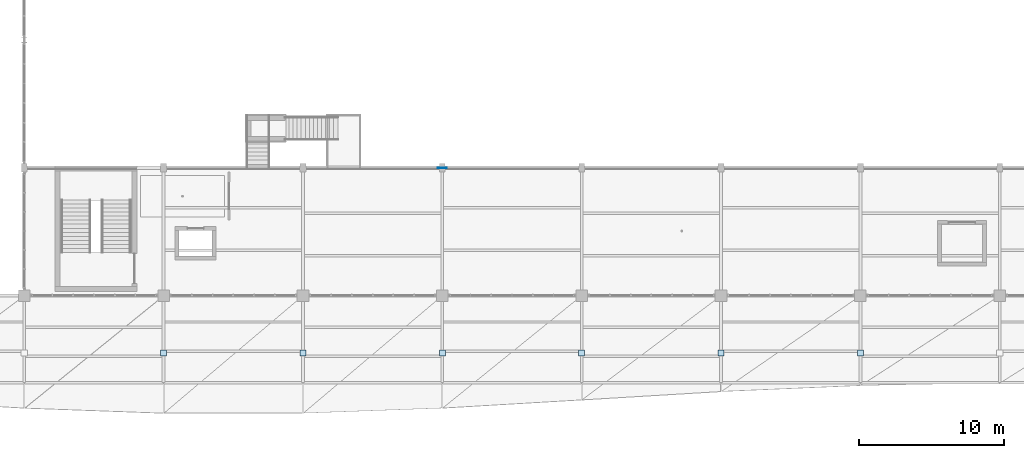
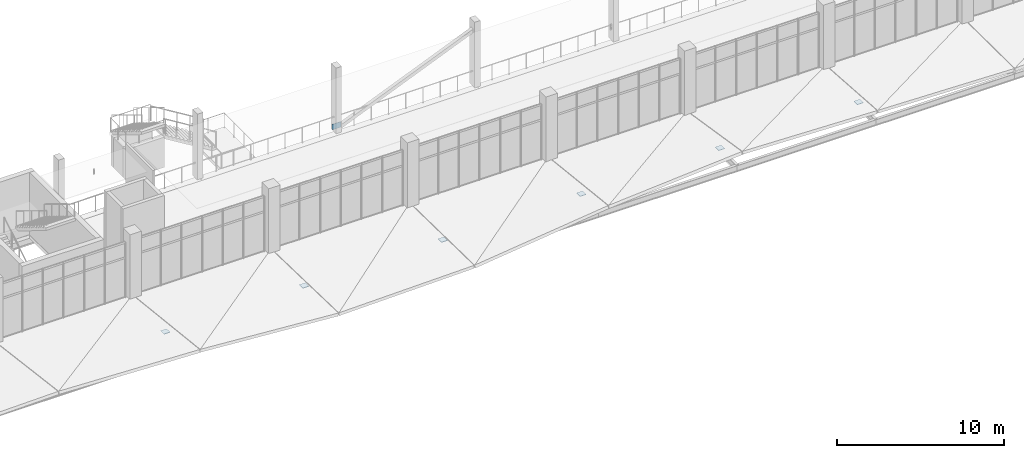
# One storey, part 128 of 157: 7 plates.
"""IFC4 building model written with IfcOpenShell, lengths in metres."""

from ifc_helpers import new_model, si_unit, direction, frame, origin, origin_2d, place, context, subcontext, project, spatial, rectangle, extrude, material, layer, layer_set, type_object, element, save


model = new_model("IFC4")

# Units and contexts
model_context = context("Model", 3, precision=1e-05, world=origin(), true_north=direction((0.0, 1.0)))
body_context = subcontext(model_context, "Body", "Model", "MODEL_VIEW")
ifc_project = project(units=[si_unit("LENGTHUNIT", "METRE"), si_unit("AREAUNIT", "SQUARE_METRE"), si_unit("VOLUMEUNIT", "CUBIC_METRE"), si_unit("PLANEANGLEUNIT", "RADIAN"), si_unit("MASSUNIT", "GRAM", prefix="KILO")], contexts=[model_context])

# Site, building, storey
site_placement = place(None, origin())
site = spatial("IfcSite", under=ifc_project, at=site_placement, CompositionType="ELEMENT")
building_placement = place(site_placement, origin())
building = spatial("IfcBuilding", under=site, at=building_placement, Name="Chalmorin Arch Market", CompositionType="ELEMENT")
storey_placement = place(building_placement, frame((0.0, 0.0, 4.800048828125)))
storey = spatial("IfcBuildingStorey", under=building, at=storey_placement, Name="L01", CompositionType="ELEMENT", Elevation=4.800048828125)

# Plates
ifc_material = material(Name="Steel A572 Grade 50", Category="steel")
ifc_layer = layer(ifc_material, 0.02490234375)
ifc_layer_set = layer_set([ifc_layer], Name="Steel A572 Grade 50")
plate_type = type_object("IfcPlateType", Name="NodeGussetPlate-600x400x25", PredefinedType="SHEET", material=ifc_layer_set)
for number, where, z_axis, x_axis, name in (
    (1, (57.60009765625, 2.050048828125, -0.283203125), (0.0, 0.0, 1.0), (1.0, 0.0, 0.0), "GP-01-014"),
    (2, (67.199951171875, 2.050048828125, -0.283203125), (0.0, 0.0, 1.0), (1.0, 0.0, 0.0), "GP-01-016"),
    (3, (76.800048828125, 2.050048828125, -0.283203125), (0.0, 0.0, 1.0), (1.0, 0.0, 0.0), "GP-01-018"),
    (4, (86.39990234375, 2.050048828125, -0.283203125), (0.0, 0.0, 1.0), (1.0, 0.0, 0.0), "GP-01-020"),
    (5, (96.0, 2.050048828125, -0.283203125), (0.0, 0.0, 1.0), (1.0, 0.0, 0.0), "GP-01-022"),
    (6, (105.60009765625, 2.050048828125, -0.283203125), (0.0, 0.0, 1.0), (1.0, 0.0, 0.0), "GP-01-024"),
):
    element("IfcPlate", number, at=place(storey_placement, frame(where, z_axis=z_axis, x_axis=x_axis)), inside=storey, type_object=plate_type, Name=name, PredefinedType="SHEET", context=body_context, shape_type="SweptSolid", body=[
        extrude(rectangle(XDim=0.419921875, YDim=0.419921875, at=origin_2d()), origin(), (0.0, 0.0, 1.0), 0.030029296875),
    ])
plate_placement = place(storey_placement, frame((76.800048828125, 14.800048828125, 0.14990234375), z_axis=(0.0, 0.0, 1.0), x_axis=(1.0, 0.0, 0.0)))
element("IfcPlate", 7, at=plate_placement, inside=storey, type_object=plate_type, Name="GP-01-161", PredefinedType="SHEET", context=body_context, shape_type="SweptSolid", body=[
    extrude(rectangle(XDim=0.60009765625, YDim=0.02490234375, at=origin_2d()), origin(), (0.0, 0.0, 1.0), 0.39990234375),
])

save(model, "model.ifc")
